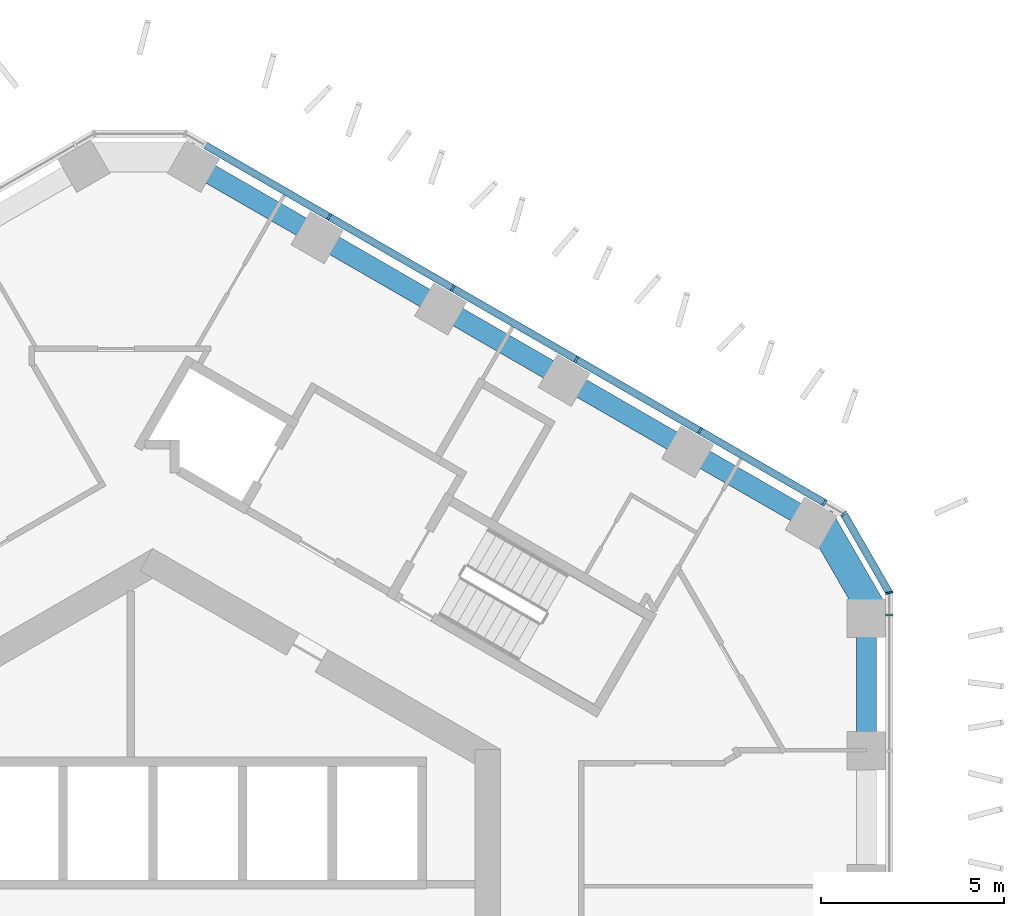
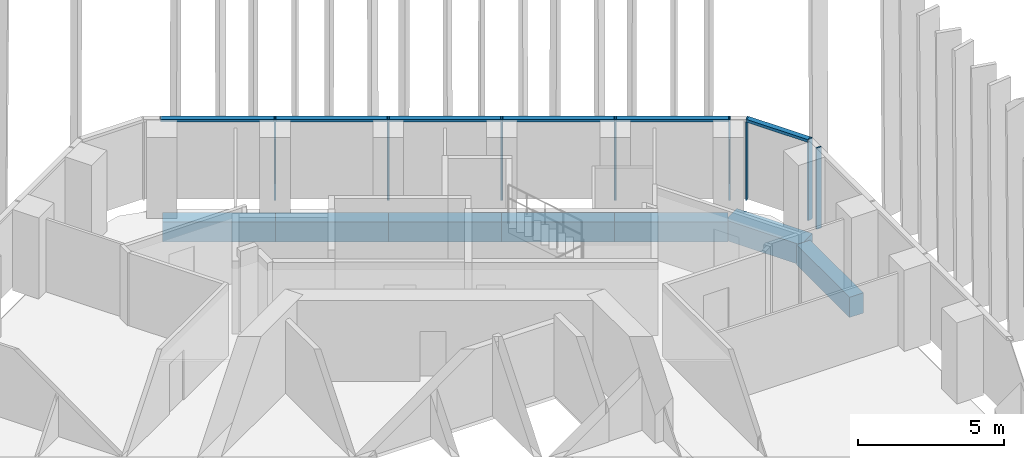
# One storey, part 6 of 19: 10 members, 7 beams, 3 elements without a shape of their own.
"""IFC4 building model written with IfcOpenShell, lengths in metres."""

from ifc_helpers import new_model, si_unit, direction, frame, origin, origin_2d, place, context, subcontext, project, spatial, rectangle, extrude, material, layer, layer_set, material_profile, profile_set, type_object, element, aggregate, save


model = new_model("IFC4")

# Units and contexts
model_context = context("Model", 3, precision=1e-05, world=origin(), true_north=direction((0.0, 1.0)))
body_context = subcontext(model_context, "Body", "Model", "MODEL_VIEW")
ifc_project = project(units=[si_unit("LENGTHUNIT", "METRE"), si_unit("AREAUNIT", "SQUARE_METRE"), si_unit("VOLUMEUNIT", "CUBIC_METRE"), si_unit("PLANEANGLEUNIT", "RADIAN"), si_unit("MASSUNIT", "GRAM", prefix="KILO")], contexts=[model_context])

# Site, building, storey
site_placement = place(None, origin())
site = spatial("IfcSite", under=ifc_project, at=site_placement, CompositionType="ELEMENT")
building_placement = place(site_placement, origin())
building = spatial("IfcBuilding", under=site, at=building_placement, Name="Ayvan Gate Tower", CompositionType="ELEMENT")
storey_placement = place(building_placement, frame((0.0, 0.0, 103.5)))
storey = spatial("IfcBuildingStorey", under=building, at=storey_placement, Name="L27", CompositionType="ELEMENT", Elevation=103.5)

# Beams
ifc_material_1 = material(Name="Concrete C40/50", Category="concrete")
ifc_material_profile_1 = material_profile(ifc_material_1, rectangle(XDim=0.800048828125, YDim=0.85009765625, at=origin_2d()), Name="RC 800x850")
ifc_profile_set_1 = profile_set([ifc_material_profile_1], Name="Concrete C40/50")
beam_type_1 = type_object("IfcBeamType", Name="Corner spandrel beam RC 800x850 C40/50", PredefinedType="BEAM", material=ifc_profile_set_1)
beam_1_placement = place(storey_placement, frame((19.676025390625, 9.232421875, -0.77490234375), z_axis=(-0.499990139034, 0.866031096941, 0.0), x_axis=(-0.866031096941, -0.499990139034, 0.0)))
element("IfcBeam", 1, at=beam_1_placement, inside=storey, type_object=beam_type_1, Name="SB-L27-6", PredefinedType="BEAM", context=body_context, shape_type="SweptSolid", body=[
    extrude(rectangle(XDim=0.800048828125, YDim=0.85009765625, at=origin_2d()), origin(), (0.0, 0.0, 1.0), 3.0),
])
ifc_material_profile_2 = material_profile(ifc_material_1, rectangle(XDim=0.550048828125, YDim=0.85009765625, at=origin_2d()), Name="RC 550x850")
ifc_profile_set_2 = profile_set([ifc_material_profile_2], Name="Concrete C40/50")
beam_type_2 = type_object("IfcBeamType", Name="Spandrel beam RC 550x850 C40/50", PredefinedType="BEAM", material=ifc_profile_set_2)
beam_2_placement = place(storey_placement, frame((19.485595703125, 5.473388671875, -0.77490234375), z_axis=(0.0, 1.0, 0.0), x_axis=(-1.0, 0.0, 0.0)))
element("IfcBeam", 2, at=beam_2_placement, inside=storey, type_object=beam_type_2, Name="SB-L27-5", PredefinedType="BEAM", context=body_context, shape_type="SweptSolid", body=[
    extrude(rectangle(XDim=0.550048828125, YDim=0.85009765625, at=origin_2d()), origin(), (0.0, 0.0, 1.0), 3.64892578125),
])
beam_3_placement = place(storey_placement, frame((17.985595703125, 11.720458984375, -0.77490234375), z_axis=(-0.866034946322, 0.499983471476, 0.0), x_axis=(-0.499983471476, -0.866034946322, 0.0)))
element("IfcBeam", 3, at=beam_3_placement, inside=storey, type_object=beam_type_2, Name="SB-L27-7", PredefinedType="BEAM", context=body_context, shape_type="SweptSolid", body=[
    extrude(rectangle(XDim=0.550048828125, YDim=0.85009765625, at=origin_2d()), origin(), (0.0, 0.0, 1.0), 3.886474609375),
])
beam_4_placement = place(storey_placement, frame((14.619873046875, 13.66357421875, -0.77490234375), z_axis=(-0.866019241107, 0.500010673919, 0.0), x_axis=(-0.500010673919, -0.866019241107, 0.0)))
element("IfcBeam", 4, at=beam_4_placement, inside=storey, type_object=beam_type_2, Name="SB-L27-8", PredefinedType="BEAM", context=body_context, shape_type="SweptSolid", body=[
    extrude(rectangle(XDim=0.550048828125, YDim=0.85009765625, at=origin_2d()), origin(), (0.0, 0.0, 1.0), 3.88623046875),
])
for number, where, z_axis, x_axis, name in (
    (5, (11.25439453125, 15.606689453125, -0.77490234375), (-0.866034946322, 0.499983471476, 0.0), (-0.499983471476, -0.866034946322, 0.0), "SB-L27-9"),
    (6, (7.888671875, 17.5498046875, -0.77490234375), (-0.866007744685, 0.500030585209, 0.0), (-0.500030585209, -0.866007744685, 0.0), "SB-L27-10"),
):
    element("IfcBeam", number, at=place(storey_placement, frame(where, z_axis=z_axis, x_axis=x_axis)), inside=storey, type_object=beam_type_2, Name=name, PredefinedType="BEAM", context=body_context, shape_type="SweptSolid", body=[
        extrude(rectangle(XDim=0.550048828125, YDim=0.85009765625, at=origin_2d()), origin(), (0.0, 0.0, 1.0), 3.886474609375),
    ])
beam_5_placement = place(storey_placement, frame((4.52294921875, 19.4931640625, -0.77490234375), z_axis=(-0.866019241107, 0.500010673919, 0.0), x_axis=(-0.500010673919, -0.866019241107, 0.0)))
element("IfcBeam", 7, at=beam_5_placement, inside=storey, type_object=beam_type_2, Name="SB-L27-11", PredefinedType="BEAM", context=body_context, shape_type="SweptSolid", body=[
    extrude(rectangle(XDim=0.550048828125, YDim=0.85009765625, at=origin_2d()), origin(), (0.0, 0.0, 1.0), 3.88623046875),
])

# Curtain wall, member
ifc_material_2 = material(Name="Bronze anodised aluminium", Category="aluminium")
ifc_layer_1 = layer(ifc_material_2, 0.199951171875)
ifc_layer_set_1 = layer_set([ifc_layer_1], Name="Bronze anodised aluminium")
curtain_wall_type_1 = type_object("IfcCurtainWallType", Name="Stick curtain wall CW-1", PredefinedType="NOTDEFINED", material=ifc_layer_set_1)
curtain_wall_1_placement = place(storey_placement, origin())
curtain_wall_1 = element("IfcCurtainWall", 8, at=curtain_wall_1_placement, inside=storey, type_object=curtain_wall_type_1, Name="Stick curtain wall CW-1 L27", PredefinedType="NOTDEFINED")
ifc_material_profile_3 = material_profile(ifc_material_2, rectangle(XDim=0.199951171875, YDim=0.06005859375, at=origin_2d()), Name="Stick curtain wall CW-1 mullion 200 x 60")
ifc_profile_set_3 = profile_set([ifc_material_profile_3], Name="Bronze anodised aluminium")
member_type_1 = type_object("IfcMemberType", Name="Stick curtain wall CW-1 mullion 200 x 60", PredefinedType="MULLION", material=ifc_profile_set_3)
member_1_placement = place(storey_placement, frame((20.110595703125, 9.1591796875, 0.0), z_axis=(0.0, 0.0, 1.0), x_axis=(1.0, 0.0, 0.0)))
member_1 = element("IfcMember", 9, at=member_1_placement, type_object=member_type_1, Name="CW-1 mullion 6", PredefinedType="MULLION", context=body_context, shape_type="SweptSolid", body=[
    extrude(rectangle(XDim=0.199951171875, YDim=0.06005859375, at=origin_2d()), origin(), (0.0, 0.0, 1.0), 3.39990234375),
])
aggregate(curtain_wall_1, [member_1])

# Curtain wall, members
curtain_wall_2_placement = place(storey_placement, origin())
curtain_wall_2 = element("IfcCurtainWall", 10, at=curtain_wall_2_placement, inside=storey, type_object=curtain_wall_type_1, Name="Stick curtain wall CW-1 L27", PredefinedType="NOTDEFINED")
member_2_placement = place(storey_placement, frame((18.34326171875, 12.219970703125, 0.0), z_axis=(0.0, 0.0, 1.0), x_axis=(0.5, 0.866025403784, 0.0)))
member_2 = element("IfcMember", 11, at=member_2_placement, type_object=member_type_1, Name="CW-1 mullion 1", PredefinedType="MULLION", context=body_context, shape_type="SweptSolid", body=[
    extrude(rectangle(XDim=0.199951171875, YDim=0.06005859375, at=origin_2d()), origin(), (0.0, 0.0, 1.0), 3.39990234375),
])
member_3_placement = place(storey_placement, frame((14.93896484375, 14.185546875, 0.0), z_axis=(0.0, 0.0, 1.0), x_axis=(0.5, 0.866025403784, 0.0)))
member_3 = element("IfcMember", 12, at=member_3_placement, type_object=member_type_1, Name="CW-1 mullion 2", PredefinedType="MULLION", context=body_context, shape_type="SweptSolid", body=[
    extrude(rectangle(XDim=0.199951171875, YDim=0.06005859375, at=origin_2d()), origin(), (0.0, 0.0, 1.0), 3.39990234375),
])
member_4_placement = place(storey_placement, frame((11.564208984375, 16.134033203125, 0.0), z_axis=(0.0, 0.0, 1.0), x_axis=(0.5, 0.866025403784, 0.0)))
member_4 = element("IfcMember", 13, at=member_4_placement, type_object=member_type_1, Name="CW-1 mullion 3", PredefinedType="MULLION", context=body_context, shape_type="SweptSolid", body=[
    extrude(rectangle(XDim=0.199951171875, YDim=0.06005859375, at=origin_2d()), origin(), (0.0, 0.0, 1.0), 3.39990234375),
])
member_5_placement = place(storey_placement, frame((8.190185546875, 18.08203125, 0.0), z_axis=(0.0, 0.0, 1.0), x_axis=(0.5, 0.866025403784, 0.0)))
member_5 = element("IfcMember", 14, at=member_5_placement, type_object=member_type_1, Name="CW-1 mullion 4", PredefinedType="MULLION", context=body_context, shape_type="SweptSolid", body=[
    extrude(rectangle(XDim=0.199951171875, YDim=0.06005859375, at=origin_2d()), origin(), (0.0, 0.0, 1.0), 3.39990234375),
])
member_6_placement = place(storey_placement, frame((4.81591796875, 20.030029296875, 0.0), z_axis=(0.0, 0.0, 1.0), x_axis=(0.5, 0.866025403784, 0.0)))
member_6 = element("IfcMember", 15, at=member_6_placement, type_object=member_type_1, Name="CW-1 mullion 5", PredefinedType="MULLION", context=body_context, shape_type="SweptSolid", body=[
    extrude(rectangle(XDim=0.199951171875, YDim=0.06005859375, at=origin_2d()), origin(), (0.0, 0.0, 1.0), 3.39990234375),
])
ifc_material_profile_4 = material_profile(ifc_material_2, rectangle(XDim=0.199951171875, YDim=0.1201171875, at=origin_2d()), Name="Stick curtain wall CW-1 transom 200 x 120")
ifc_profile_set_4 = profile_set([ifc_material_profile_4], Name="Bronze anodised aluminium")
member_type_2 = type_object("IfcMemberType", Name="Stick curtain wall CW-1 transom 200 x 120", PredefinedType="USERDEFINED", material=ifc_profile_set_4)
member_7_placement = place(storey_placement, frame((18.34326171875, 12.219970703125, 3.340087890625), z_axis=(-0.866022973691, 0.500004209022, 0.0), x_axis=(-0.500004209022, -0.866022973691, 0.0)))
member_7 = element("IfcMember", 16, at=member_7_placement, type_object=member_type_2, Name="CW-1 transom 1", ObjectType="TRANSOM", PredefinedType="USERDEFINED", context=body_context, shape_type="SweptSolid", body=[
    extrude(rectangle(XDim=0.199951171875, YDim=0.1201171875, at=origin_2d()), origin(), (0.0, 0.0, 1.0), 19.551513671875),
])
aggregate(curtain_wall_2, [member_2, member_3, member_4, member_5, member_6, member_7])

ifc_layer_2 = layer(ifc_material_2, 0.199951171875)
ifc_layer_set_2 = layer_set([ifc_layer_2], Name="Bronze anodised aluminium")
curtain_wall_type_2 = type_object("IfcCurtainWallType", Name="Stick curtain wall CW-6", PredefinedType="NOTDEFINED", material=ifc_layer_set_2)
curtain_wall_3_placement = place(storey_placement, origin())
curtain_wall_3 = element("IfcCurtainWall", 17, at=curtain_wall_3_placement, inside=storey, type_object=curtain_wall_type_2, Name="Stick curtain wall CW-6 L27", PredefinedType="NOTDEFINED")
ifc_material_profile_5 = material_profile(ifc_material_2, rectangle(XDim=0.199951171875, YDim=0.050048828125, at=origin_2d()), Name="Stick curtain wall CW-6 mullion 200 x 50")
ifc_profile_set_5 = profile_set([ifc_material_profile_5], Name="Bronze anodised aluminium")
member_type_3 = type_object("IfcMemberType", Name="Stick curtain wall CW-6 mullion 200 x 50", PredefinedType="MULLION", material=ifc_profile_set_5)
member_8_placement = place(storey_placement, frame((20.110595703125, 9.76416015625, 0.0), z_axis=(0.0, 0.0, 1.0), x_axis=(0.965925826289, 0.258819045103, 0.0)))
member_8 = element("IfcMember", 18, at=member_8_placement, type_object=member_type_3, Name="CW-6 mullion 2", PredefinedType="MULLION", context=body_context, shape_type="SweptSolid", body=[
    extrude(rectangle(XDim=0.199951171875, YDim=0.050048828125, at=origin_2d()), origin(), (0.0, 0.0, 1.0), 3.39990234375),
])
member_9_placement = place(storey_placement, frame((18.8671875, 11.91748046875, 0.0), z_axis=(0.0, 0.0, 1.0), x_axis=(0.707106781187, 0.707106781187, 0.0)))
member_9 = element("IfcMember", 19, at=member_9_placement, type_object=member_type_3, Name="CW-6 mullion 3", PredefinedType="MULLION", context=body_context, shape_type="SweptSolid", body=[
    extrude(rectangle(XDim=0.199951171875, YDim=0.050048828125, at=origin_2d()), origin(), (0.0, 0.0, 1.0), 3.39990234375),
])
ifc_material_profile_6 = material_profile(ifc_material_2, rectangle(XDim=0.199951171875, YDim=0.1201171875, at=origin_2d()), Name="Stick curtain wall CW-6 transom 200 x 120")
ifc_profile_set_6 = profile_set([ifc_material_profile_6], Name="Bronze anodised aluminium")
member_type_4 = type_object("IfcMemberType", Name="Stick curtain wall CW-6 transom 200 x 120", PredefinedType="USERDEFINED", material=ifc_profile_set_6)
member_10_placement = place(storey_placement, frame((20.09814453125, 9.78564453125, 3.340087890625), z_axis=(-0.499997116, 0.866027068856, 0.0), x_axis=(-0.866027068856, -0.499997116, 0.0)))
member_10 = element("IfcMember", 20, at=member_10_placement, type_object=member_type_4, Name="CW-6 transom 2", ObjectType="TRANSOM", PredefinedType="USERDEFINED", context=body_context, shape_type="SweptSolid", body=[
    extrude(rectangle(XDim=0.199951171875, YDim=0.1201171875, at=origin_2d()), origin(), (0.0, 0.0, 1.0), 2.4365234375),
])
aggregate(curtain_wall_3, [member_8, member_9, member_10])

save(model, "model.ifc")
